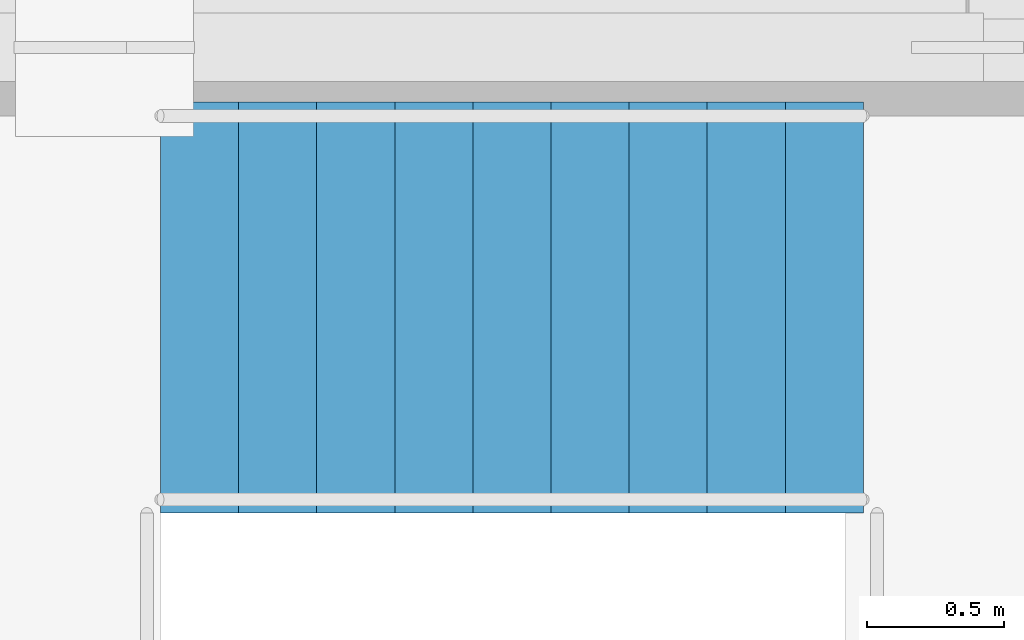
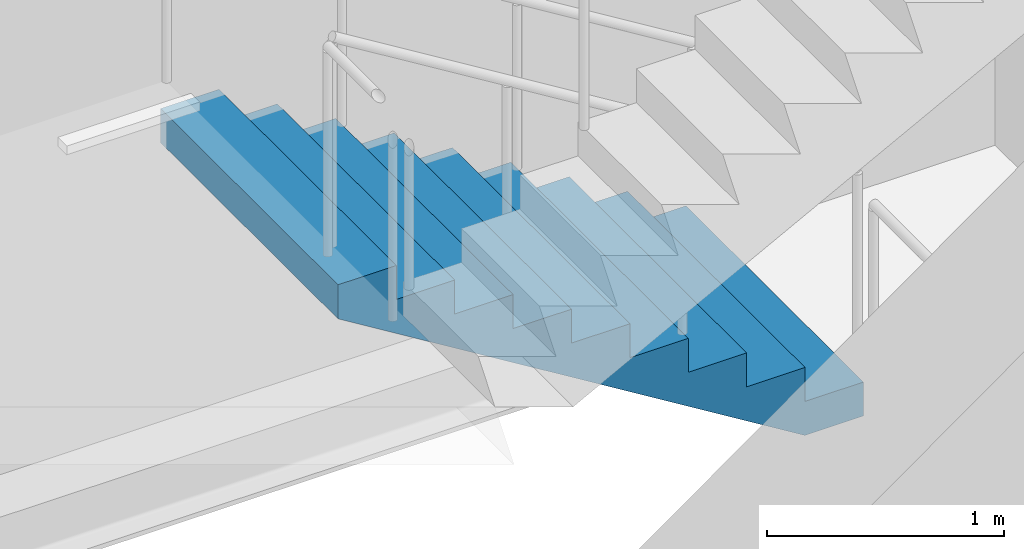
# One storey, part 22 of 23: 1 stair flight, 1 element without a shape of its own.
"""IFC4 building model written with IfcOpenShell, lengths in metres."""

from ifc_helpers import new_model, si_unit, direction, frame, origin, place, context, subcontext, project, spatial, polyline, outline, extrude, material, type_object, element, aggregate, save


model = new_model("IFC4")

# Units and contexts
model_context = context("Model", 3, precision=1e-05, world=origin(), true_north=direction((0.0, 1.0)))
body_context = subcontext(model_context, "Body", "Model", "MODEL_VIEW")
ifc_project = project(units=[si_unit("LENGTHUNIT", "METRE"), si_unit("AREAUNIT", "SQUARE_METRE"), si_unit("VOLUMEUNIT", "CUBIC_METRE"), si_unit("PLANEANGLEUNIT", "RADIAN"), si_unit("MASSUNIT", "GRAM", prefix="KILO")], contexts=[model_context])

# Site, building, storey
site_placement = place(None, origin())
site = spatial("IfcSite", under=ifc_project, at=site_placement, CompositionType="ELEMENT")
building_placement = place(site_placement, origin())
building = spatial("IfcBuilding", under=site, at=building_placement, Name="Cobrela Telecom Tower", CompositionType="ELEMENT")
storey_placement = place(building_placement, frame((0.0, 0.0, 269.14990234375)))
storey = spatial("IfcBuildingStorey", under=building, at=storey_placement, Name="L70", CompositionType="ELEMENT", Elevation=269.14990234375)

# Stair, stair flight
ifc_material = material(Name="Concrete C40/50", Category="concrete")
stair_type = type_object("IfcStairType", Name="STAIR-CORE", PredefinedType="HALF_TURN_STAIR", material=ifc_material)
stair_placement = place(storey_placement, origin())
stair = element("IfcStair", 1, at=stair_placement, inside=storey, type_object=stair_type, Name="L70 Smokeproof Exit Stair ST1", PredefinedType="HALF_TURN_STAIR")
stair_flight_type = type_object("IfcStairFlightType", Name="FLIGHT-CORE", PredefinedType="STRAIGHT", material=ifc_material)
stair_flight_placement = place(storey_placement, frame((6.820068359375, 34.800048828125, 0.0), z_axis=(0.0, 0.0, 1.0), x_axis=(-1.0, 0.0, 0.0)))
stair_flight = element("IfcStairFlight", 2, at=stair_flight_placement, type_object=stair_flight_type, Name="ST1 flight 1", NumberOfRisers=10, NumberOfTreads=9, PredefinedType="STRAIGHT", RiserHeight=0.175, TreadLength=0.285, context=body_context, shape_type="SweptSolid", body=[
    extrude(outline(polyline([(0.0, 0.0), (0.0, 0.175048828125), (0.284912109375, 0.175048828125), (0.284912109375, 0.35009765625), (0.570068359375, 0.35009765625), (0.570068359375, 0.52490234375), (0.85498046875, 0.52490234375), (0.85498046875, 0.699951171875), (1.139892578125, 0.699951171875), (1.139892578125, 0.875), (1.425048828125, 0.875), (1.425048828125, 1.050048828125), (1.7099609375, 1.050048828125), (1.7099609375, 1.22509765625), (1.9951171875, 1.22509765625), (1.9951171875, 1.39990234375), (2.280029296875, 1.39990234375), (2.280029296875, 1.574951171875), (2.56494140625, 1.574951171875), (2.56494140625, 1.75), (2.56494140625, 1.399169921875), (0.286376953125, 0.0), (0.0, 0.0)])), frame((0.0, 0.75, 0.0), z_axis=(0.0, -1.0, 0.0), x_axis=(1.0, 0.0, 0.0)), (0.0, 0.0, 1.0), 1.5),
])
aggregate(stair, [stair_flight])

save(model, "model.ifc")
